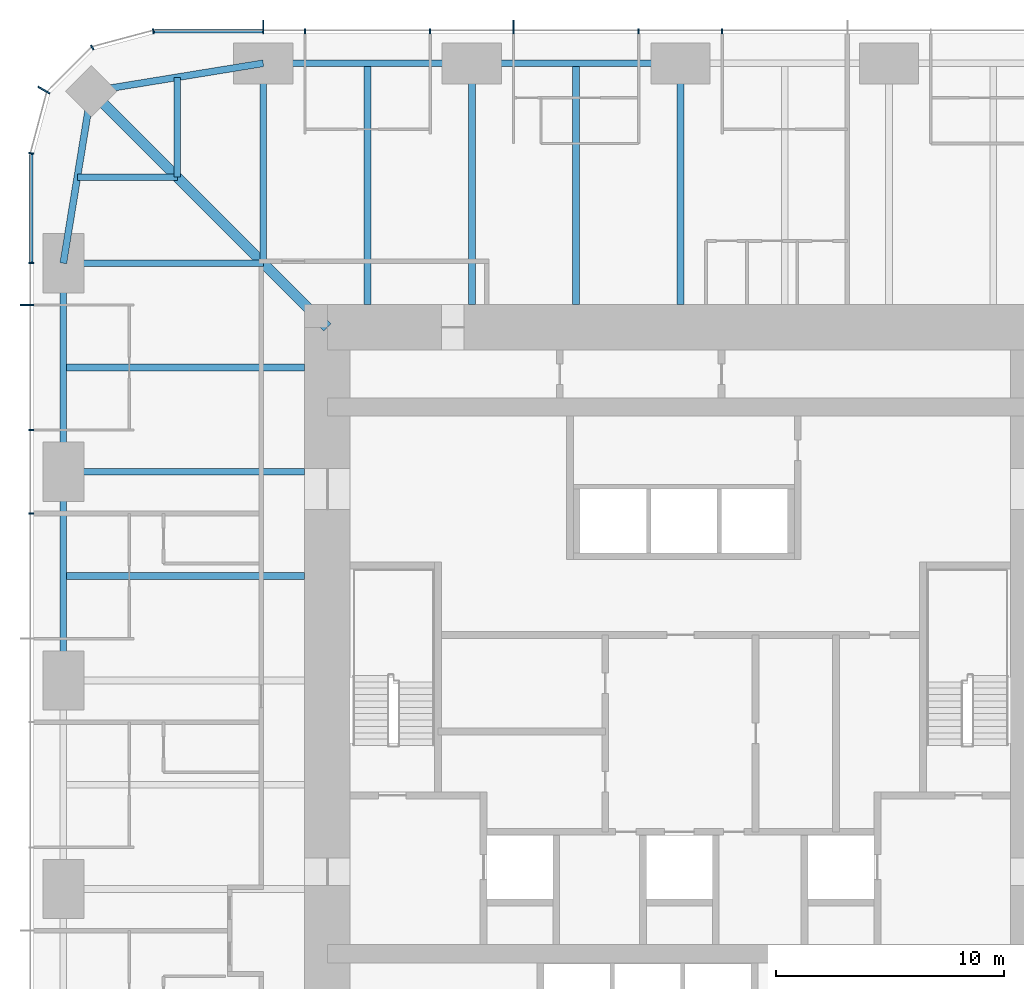
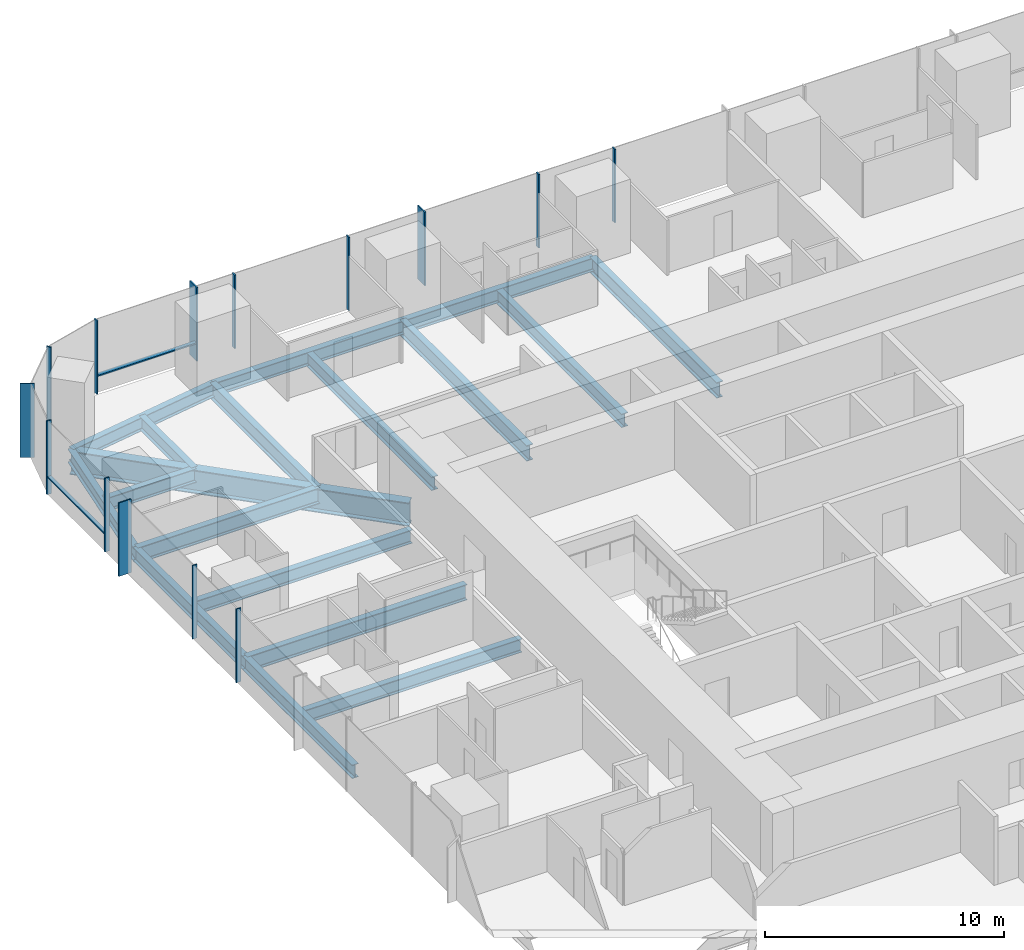
# One storey, part 5 of 13: 18 beams, 16 members, 3 elements without a shape of their own.
"""IFC4 building model written with IfcOpenShell, lengths in metres."""

import ifcopenshell
import ifcopenshell.guid

model = None  # the IFC model being written
_history = None  # IfcOwnerHistory: only IFC2X3 demands one
_inside = {}  # id of a spatial element -> (the spatial element, [elements in it])
_under = {}  # id of a project, library or spatial element -> (it, [spatial elements below it])
_declared = {}  # id of a project -> (the project, [libraries it declares])
_typed = {}  # id of a type object -> (the type object, [elements of that type])
_made_of = {}  # id of a material, layer set ... -> (it, [elements and type objects made of it])


def new_model(schema):
    """Start an empty IFC model of exactly this schema.

    Asked for "IFC4X3", IfcOpenShell would pick the latest addendum, in which some entities
    have other attributes; the version numbers below select the first issue.
    IFC2X3 requires an IfcOwnerHistory on every rooted entity: one is made here for all.
    """
    global model, _history
    if schema == "IFC4X3":
        model = ifcopenshell.file(schema_version=(4, 3, 0, 0))
    else:
        model = ifcopenshell.file(schema=schema)
    _inside.clear()
    _under.clear()
    _declared.clear()
    _typed.clear()
    _made_of.clear()
    _history = None
    if model.schema == "IFC2X3":
        org = make("IfcOrganization", Name="unknown")
        user = make(
            "IfcPersonAndOrganization",
            ThePerson=make("IfcPerson", FamilyName="unknown"),
            TheOrganization=org,
        )
        app = make(
            "IfcApplication",
            ApplicationDeveloper=org,
            Version="unknown",
            ApplicationFullName="unknown",
            ApplicationIdentifier="unknown",
        )
        _history = make(
            "IfcOwnerHistory",
            OwningUser=user,
            OwningApplication=app,
            ChangeAction="ADDED",
            CreationDate=0,
        )
    return model


def make(cls, **values):
    """One entity of the class cls with the attributes given. An attribute that is None is left unset."""
    return model.create_entity(
        cls, **{name: value for name, value in values.items() if value is not None}
    )


def rooted(cls, **values):
    """An entity with a GlobalId (a new one), such as an element, a storey or a relation."""
    return make(cls, GlobalId=ifcopenshell.guid.new(), OwnerHistory=_history, **values)


def si_unit(unit_type, name, prefix=None):
    """IfcSIUnit, for example si_unit("LENGTHUNIT", "METRE", prefix="MILLI")."""
    return make("IfcSIUnit", UnitType=unit_type, Prefix=prefix, Name=name)


def assignment(units):
    """IfcUnitAssignment: the units of a project."""
    return None if units is None else make("IfcUnitAssignment", Units=units)


def point(xyz):
    """IfcCartesianPoint."""
    return None if xyz is None else make("IfcCartesianPoint", Coordinates=xyz)


def direction(xyz):
    """IfcDirection."""
    return None if xyz is None else make("IfcDirection", DirectionRatios=xyz)


def frame(location, z_axis=None, x_axis=None):
    """IfcAxis2Placement3D, a coordinate frame: its origin and axes. An axis left out is left unset."""
    return make(
        "IfcAxis2Placement3D",
        Location=point(location),
        Axis=direction(z_axis),
        RefDirection=direction(x_axis),
    )


def frame_2d(location, x_axis=None):
    """IfcAxis2Placement2D, a coordinate frame in the plane: its origin and x axis."""
    return make(
        "IfcAxis2Placement2D", Location=point(location), RefDirection=direction(x_axis)
    )


def origin():
    """The frame at (0, 0, 0) with its axes left unset."""
    return frame((0.0, 0.0, 0.0))


def origin_2d():
    """The frame at (0, 0) in the plane with its x axis left unset."""
    return frame_2d((0.0, 0.0))


def place(relative_to, where):
    """IfcLocalPlacement: puts the frame where relative to a parent placement (None: the world)."""
    return make(
        "IfcLocalPlacement", PlacementRelTo=relative_to, RelativePlacement=where
    )


def context(
    kind, dimensions, precision=None, world=None, true_north=None, identifier=None
):
    """IfcGeometricRepresentationContext, for example the 3D "Model" context."""
    return make(
        "IfcGeometricRepresentationContext",
        ContextIdentifier=identifier,
        ContextType=kind,
        CoordinateSpaceDimension=dimensions,
        Precision=precision,
        WorldCoordinateSystem=world,
        TrueNorth=true_north,
    )


def subcontext(parent, identifier, kind, view, scale=None):
    """IfcGeometricRepresentationSubContext, for example "Body" below "Model"."""
    return make(
        "IfcGeometricRepresentationSubContext",
        ContextIdentifier=identifier,
        ContextType=kind,
        ParentContext=parent,
        TargetScale=scale,
        TargetView=view,
    )


def project(units=None, contexts=None):
    """IfcProject with its units and contexts."""
    return rooted(
        "IfcProject",
        Name="project",
        RepresentationContexts=contexts,
        UnitsInContext=assignment(units),
    )


def spatial(cls, under=None, at=None, **own):
    """A site, building, storey or space (cls), placed at a placement, below another one or the project."""
    s = rooted(cls, ObjectPlacement=at, **own)
    if under is not None:
        _under.setdefault(under.id(), (under, []))[1].append(s)
    return s


def profile(cls, at=None, kind="AREA", **sizes):
    """A parametric profile (cls). Its sizes go by their IFC names, for example OverallWidth=200.0."""
    return make(cls, ProfileType=kind, Position=at, **sizes)


def rectangle(**sizes):
    """IfcRectangleProfileDef."""
    return profile("IfcRectangleProfileDef", **sizes)


def i_section(**sizes):
    """IfcIShapeProfileDef."""
    return profile("IfcIShapeProfileDef", **sizes)


def extrude(swept, where, along, depth):
    """IfcExtrudedAreaSolid: the profile swept, set in the frame where, extruded along a direction by depth."""
    return make(
        "IfcExtrudedAreaSolid",
        SweptArea=swept,
        Position=where,
        ExtrudedDirection=direction(along),
        Depth=depth,
    )


def shape(context_of_items, identifier, shape_type, items):
    """IfcShapeRepresentation: the items that make up one representation, for example the "Body"."""
    return make(
        "IfcShapeRepresentation",
        ContextOfItems=context_of_items,
        RepresentationIdentifier=identifier,
        RepresentationType=shape_type,
        Items=items,
    )


def material(Name=None, Category=None):
    """IfcMaterial."""
    return make("IfcMaterial", Name=Name, Category=Category)


def material_profile(
    of_material, cross_section, Name=None, Category=None, Priority=None
):
    """IfcMaterialProfile: a cross section and its material."""
    return make(
        "IfcMaterialProfile",
        Name=Name,
        Material=of_material,
        Profile=cross_section,
        Priority=Priority,
        Category=Category,
    )


def profile_set(profiles, Name=None, composite=None):
    """IfcMaterialProfileSet."""
    return make(
        "IfcMaterialProfileSet",
        Name=Name,
        MaterialProfiles=profiles,
        CompositeProfile=composite,
    )


def made_of(thing, what):
    """Note that an element or type object is made of a material, layer set ...; save() writes the relation."""
    if what is not None:
        _made_of.setdefault(what.id(), (what, []))[1].append(thing)
    return thing


def type_object(cls, material=None, **own):
    """A type object (cls), such as IfcWallType, which elements share."""
    return made_of(rooted(cls, **own), material)


def element(
    cls,
    number,
    at=None,
    inside=None,
    cuts=None,
    type_object=None,
    material=None,
    context=None,
    identifier="Body",
    shape_type=None,
    held_by="IfcProductDefinitionShape",
    body=None,
    shapes=None,
    **own,
):
    """One element of the class cls, such as IfcWall. Its Tag is "e" and its number.

    at: its placement. inside: the storey or other place that contains it. cuts: it is an
    opening in that element (IfcRelVoidsElement). A single representation is given by context,
    identifier, shape_type and body (its items); several are given by shapes. held_by: the class
    of the entity that holds the representations. save() writes the other relations.
    """
    e = rooted(cls, Tag="e%d" % number, ObjectPlacement=at, **own)
    if body is not None:
        shapes = [shape(context, identifier, shape_type, body)]
    if shapes is not None:
        e.Representation = make(held_by, Representations=shapes)
    if inside is not None:
        _inside.setdefault(inside.id(), (inside, []))[1].append(e)
    if cuts is not None:
        rooted(
            "IfcRelVoidsElement", RelatingBuildingElement=cuts, RelatedOpeningElement=e
        )
    if type_object is not None:
        _typed.setdefault(type_object.id(), (type_object, []))[1].append(e)
    return made_of(e, material)


def aggregate(whole, parts):
    """IfcRelAggregates: a whole, such as a stair, and the parts it consists of."""
    return rooted("IfcRelAggregates", RelatingObject=whole, RelatedObjects=parts)


def save(model, path):
    """Write the relations noted so far, then the file.

    IfcRelAggregates (storeys below a building ...), IfcRelContainedInSpatialStructure (elements
    in a storey), IfcRelDefinesByType, IfcRelAssociatesMaterial and IfcRelDeclares: one each for
    every whole, place, type object, material and project.
    """
    for whole, parts in _under.values():
        aggregate(whole, parts)
    for where, things in _inside.values():
        rooted(
            "IfcRelContainedInSpatialStructure",
            RelatedElements=things,
            RelatingStructure=where,
        )
    for kind, things in _typed.values():
        rooted("IfcRelDefinesByType", RelatedObjects=things, RelatingType=kind)
    for what, things in _made_of.values():
        rooted("IfcRelAssociatesMaterial", RelatedObjects=things, RelatingMaterial=what)
    for by, libraries in _declared.values():
        rooted("IfcRelDeclares", RelatingContext=by, RelatedDefinitions=libraries)
    model.write(path)


model = new_model("IFC4")

# Units and contexts
model_context = context("Model", 3, precision=1e-05, world=origin(), true_north=direction((0.0, 1.0)))
body_context = subcontext(model_context, "Body", "Model", "MODEL_VIEW")
ifc_project = project(units=[si_unit("LENGTHUNIT", "METRE"), si_unit("AREAUNIT", "SQUARE_METRE"), si_unit("VOLUMEUNIT", "CUBIC_METRE"), si_unit("PLANEANGLEUNIT", "RADIAN"), si_unit("MASSUNIT", "GRAM", prefix="KILO")], contexts=[model_context])

# Site, building, storey
site_placement = place(None, origin())
site = spatial("IfcSite", under=ifc_project, at=site_placement, CompositionType="ELEMENT")
building_placement = place(site_placement, origin())
building = spatial("IfcBuilding", under=site, at=building_placement, Name="Khuree Lantern Residences", CompositionType="ELEMENT")
storey_placement = place(building_placement, frame((0.0, 0.0, 156.0)))
storey = spatial("IfcBuildingStorey", under=building, at=storey_placement, Name="L39", CompositionType="ELEMENT", Elevation=156.0)

# Beams
ifc_material_1 = material(Name="Steel S355", Category="steel")
ifc_material_profile_1 = material_profile(ifc_material_1, i_section(OverallWidth=0.300048828125, OverallDepth=0.68994140625, WebThickness=0.014404296875, FlangeThickness=0.027099609375, FilletRadius=0.027099609375, at=origin_2d()), Name="HE 700 A")
ifc_profile_set_1 = profile_set([ifc_material_profile_1], Name="Steel S355")
beam_type_1 = type_object("IfcBeamType", Name="B-24 SECONDARY BEAM HE 700 A", PredefinedType="BEAM", material=ifc_profile_set_1)
for number, where, z_axis, x_axis, name in (
    (1, (-13.739990234375, 27.10009765625, -0.594970703125), (0.0, -1.0, 0.0), (1.0, 0.0, 0.0), "Secondary beam N1"),
    (2, (-4.580078125, 27.10009765625, -0.594970703125), (0.0, -1.0, 0.0), (1.0, 0.0, 0.0), "Secondary beam N2"),
    (3, (-27.10009765625, 4.580078125, -0.594970703125), (1.0, 0.0, 0.0), (0.0, 1.0, 0.0), "Secondary beam W4"),
    (4, (-27.10009765625, 13.739990234375, -0.594970703125), (1.0, 0.0, 0.0), (0.0, 1.0, 0.0), "Secondary beam W5"),
):
    element("IfcBeam", number, at=place(storey_placement, frame(where, z_axis=z_axis, x_axis=x_axis)), inside=storey, type_object=beam_type_1, Name=name, PredefinedType="BEAM", context=body_context, shape_type="SweptSolid", body=[
        extrude(i_section(OverallWidth=0.300048828125, OverallDepth=0.68994140625, WebThickness=0.014404296875, FlangeThickness=0.027099609375, FilletRadius=0.027099609375, at=origin_2d()), origin(), (0.0, 0.0, 1.0), 10.60009765625),
    ])
for number, where, z_axis, x_axis, name in (
    (5, (-26.48486328125, 22.094970703125, -0.594970703125), (1.0, 0.0, 0.0), (0.0, 1.0, 0.0), "Secondary beam W6"),
    (6, (-22.094970703125, 26.48486328125, -0.594970703125), (0.0, -1.0, 0.0), (1.0, 0.0, 0.0), "Secondary beam N6"),
):
    element("IfcBeam", number, at=place(storey_placement, frame(where, z_axis=z_axis, x_axis=x_axis)), inside=storey, type_object=beam_type_1, Name=name, PredefinedType="BEAM", context=body_context, shape_type="SweptSolid", body=[
        extrude(i_section(OverallWidth=0.300048828125, OverallDepth=0.68994140625, WebThickness=0.014404296875, FlangeThickness=0.027099609375, FilletRadius=0.027099609375, at=origin_2d()), origin(), (0.0, 0.0, 1.0), 4.389892578125),
    ])
ifc_material_profile_2 = material_profile(ifc_material_1, i_section(OverallWidth=0.300048828125, OverallDepth=0.68994140625, WebThickness=0.014404296875, FlangeThickness=0.027099609375, FilletRadius=0.027099609375, at=origin_2d()), Name="HE 700 A")
ifc_profile_set_2 = profile_set([ifc_material_profile_2], Name="Steel S355")
beam_type_2 = type_object("IfcBeamType", Name="E-24 SPANDREL BEAM HE 700 A", PredefinedType="SPANDREL", material=ifc_profile_set_2)
beam_1_placement = place(storey_placement, frame((-18.320068359375, 27.10009765625, -0.594970703125), z_axis=(1.0, 0.0, 0.0), x_axis=(0.0, 1.0, 0.0)))
element("IfcBeam", 7, at=beam_1_placement, inside=storey, type_object=beam_type_2, Name="Spandrel beam N1", PredefinedType="SPANDREL", context=body_context, shape_type="SweptSolid", body=[
    extrude(i_section(OverallWidth=0.300048828125, OverallDepth=0.68994140625, WebThickness=0.014404296875, FlangeThickness=0.027099609375, FilletRadius=0.027099609375, at=origin_2d()), origin(), (0.0, 0.0, 1.0), 9.16015625),
])
for number, where, z_axis, x_axis, name in (
    (8, (-9.159912109375, 27.10009765625, -0.594970703125), (1.0, 0.0, 0.0), (0.0, 1.0, 0.0), "Spandrel beam N2"),
    (9, (-27.10009765625, 0.0, -0.594970703125), (0.0, 1.0, 0.0), (-1.0, 0.0, 0.0), "Spandrel beam W4"),
):
    element("IfcBeam", number, at=place(storey_placement, frame(where, z_axis=z_axis, x_axis=x_axis)), inside=storey, type_object=beam_type_2, Name=name, PredefinedType="SPANDREL", context=body_context, shape_type="SweptSolid", body=[
        extrude(i_section(OverallWidth=0.300048828125, OverallDepth=0.68994140625, WebThickness=0.014404296875, FlangeThickness=0.027099609375, FilletRadius=0.027099609375, at=origin_2d()), origin(), (0.0, 0.0, 1.0), 9.159912109375),
    ])
beam_2_placement = place(storey_placement, frame((-27.10009765625, 9.159912109375, -0.594970703125), z_axis=(0.0, 1.0, 0.0), x_axis=(-1.0, 0.0, 0.0)))
element("IfcBeam", 10, at=beam_2_placement, inside=storey, type_object=beam_type_2, Name="Spandrel beam W5", PredefinedType="SPANDREL", context=body_context, shape_type="SweptSolid", body=[
    extrude(i_section(OverallWidth=0.300048828125, OverallDepth=0.68994140625, WebThickness=0.014404296875, FlangeThickness=0.027099609375, FilletRadius=0.027099609375, at=origin_2d()), origin(), (0.0, 0.0, 1.0), 9.16015625),
])
for number, where, z_axis, x_axis, name in (
    (11, (-27.10009765625, 18.320068359375, -0.594970703125), (0.160826723833, 0.986982656839, 0.0), (-0.986982656839, 0.160826723833, 0.0), "Spandrel beam W6"),
    (12, (-25.869873046875, 25.869873046875, -0.594970703125), (0.986982656839, 0.160826723833, 0.0), (-0.160826723833, 0.986982656839, 0.0), "Spandrel beam N6"),
):
    element("IfcBeam", number, at=place(storey_placement, frame(where, z_axis=z_axis, x_axis=x_axis)), inside=storey, type_object=beam_type_2, Name=name, PredefinedType="SPANDREL", context=body_context, shape_type="SweptSolid", body=[
        extrude(i_section(OverallWidth=0.300048828125, OverallDepth=0.68994140625, WebThickness=0.014404296875, FlangeThickness=0.027099609375, FilletRadius=0.027099609375, at=origin_2d()), origin(), (0.0, 0.0, 1.0), 7.6494140625),
    ])

# Curtain wall, members
ifc_material_2 = material(Name="Bronze anodised aluminium", Category="aluminium")
curtain_wall_type_1 = type_object("IfcCurtainWallType", Name="CW-T1 TOWER FACE CURTAIN WALL", PredefinedType="USERDEFINED", material=ifc_material_2)
curtain_wall_1_placement = place(storey_placement, origin())
curtain_wall_1 = element("IfcCurtainWall", 13, at=curtain_wall_1_placement, inside=storey, type_object=curtain_wall_type_1, Name="L39 NORTH FACE CURTAIN WALL", ObjectType="Stick-built curtain wall", PredefinedType="USERDEFINED")
ifc_material_profile_3 = material_profile(ifc_material_2, rectangle(XDim=0.06494140625, YDim=0.60009765625, at=origin_2d()), Name="F1 65X600")
ifc_profile_set_3 = profile_set([ifc_material_profile_3], Name="Bronze anodised aluminium")
member_type_1 = type_object("IfcMemberType", Name="F1 BRONZE FIN MULLION TOWER 65X600", PredefinedType="MULLION", material=ifc_profile_set_3)
member_1_placement = place(storey_placement, frame((-7.327880859375, 28.699951171875, 0.0), z_axis=(0.0, 0.0, 1.0), x_axis=(-1.0, 0.0, 0.0)))
member_1 = element("IfcMember", 14, at=member_1_placement, type_object=member_type_1, Name="L39 NORTH FACE FIN MULLION 25", PredefinedType="MULLION", context=body_context, shape_type="SweptSolid", body=[
    extrude(rectangle(XDim=0.06494140625, YDim=0.60009765625, at=origin_2d()), origin(), (0.0, 0.0, 1.0), 3.75),
])
member_2_placement = place(storey_placement, frame((-18.320068359375, 28.699951171875, 0.0), z_axis=(0.0, 0.0, 1.0), x_axis=(-1.0, 0.0, 0.0)))
member_2 = element("IfcMember", 15, at=member_2_placement, type_object=member_type_1, Name="L39 NORTH FACE FIN MULLION 28", PredefinedType="MULLION", context=body_context, shape_type="SweptSolid", body=[
    extrude(rectangle(XDim=0.06494140625, YDim=0.60009765625, at=origin_2d()), origin(), (0.0, 0.0, 1.0), 3.75),
])

# Curtain wall, member
curtain_wall_type_2 = type_object("IfcCurtainWallType", Name="CW-T2 TOWER CORNER CURTAIN WALL", PredefinedType="USERDEFINED", material=ifc_material_2)
curtain_wall_2_placement = place(storey_placement, origin())
curtain_wall_2 = element("IfcCurtainWall", 16, at=curtain_wall_2_placement, inside=storey, type_object=curtain_wall_type_2, Name="L39 NORTH-WEST CORNER CURTAIN WALL", ObjectType="Faceted corner curtain wall", PredefinedType="USERDEFINED")
member_3_placement = place(storey_placement, frame((-27.95654296875, 25.925048828125, 0.0), z_axis=(0.0, 0.0, 1.0), x_axis=(-0.500000026995, -0.866025388199, 0.0)))
member_3 = element("IfcMember", 17, at=member_3_placement, type_object=member_type_1, Name="L39 NORTH-WEST CORNER FIN MULLION 31", PredefinedType="MULLION", context=body_context, shape_type="SweptSolid", body=[
    extrude(rectangle(XDim=0.06494140625, YDim=0.60009765625, at=origin_2d()), origin(), (0.0, 0.0, 1.0), 3.75),
])

curtain_wall_3_placement = place(storey_placement, origin())
curtain_wall_3 = element("IfcCurtainWall", 18, at=curtain_wall_3_placement, inside=storey, type_object=curtain_wall_type_1, Name="L39 WEST FACE CURTAIN WALL", ObjectType="Stick-built curtain wall", PredefinedType="USERDEFINED")
member_4_placement = place(storey_placement, frame((-28.699951171875, 16.488037109375, 0.0), z_axis=(0.0, 0.0, 1.0), x_axis=(0.0, -1.0, 0.0)))
member_4 = element("IfcMember", 19, at=member_4_placement, type_object=member_type_1, Name="L39 WEST FACE FIN MULLION 34", PredefinedType="MULLION", context=body_context, shape_type="SweptSolid", body=[
    extrude(rectangle(XDim=0.06494140625, YDim=0.60009765625, at=origin_2d()), origin(), (0.0, 0.0, 1.0), 3.75),
])

# Beams
ifc_material_profile_4 = material_profile(ifc_material_1, i_section(OverallWidth=0.300048828125, OverallDepth=0.800048828125, WebThickness=0.017578125, FlangeThickness=0.032958984375, FilletRadius=0.030029296875, at=origin_2d()), Name="HE 800 B")
ifc_profile_set_4 = profile_set([ifc_material_profile_4], Name="Steel S355")
beam_type_3 = type_object("IfcBeamType", Name="G-24 GIRDER HE 800 B", PredefinedType="BEAM", material=ifc_profile_set_4)
beam_3_placement = place(storey_placement, frame((-18.320068359375, 27.10009765625, -0.64990234375), z_axis=(0.0, -1.0, 0.0), x_axis=(1.0, 0.0, 0.0)))
element("IfcBeam", 20, at=beam_3_placement, inside=storey, type_object=beam_type_3, Name="Girder N1", PredefinedType="BEAM", context=body_context, shape_type="SweptSolid", body=[
    extrude(i_section(OverallWidth=0.300048828125, OverallDepth=0.800048828125, WebThickness=0.017578125, FlangeThickness=0.032958984375, FilletRadius=0.030029296875, at=origin_2d()), origin(), (0.0, 0.0, 1.0), 8.780029296875),
])
for number, where, z_axis, x_axis, name in (
    (21, (-9.159912109375, 27.10009765625, -0.64990234375), (0.0, -1.0, 0.0), (1.0, 0.0, 0.0), "Girder N2"),
    (22, (0.0, 27.10009765625, -0.64990234375), (0.0, -1.0, 0.0), (1.0, 0.0, 0.0), "Girder N3"),
    (23, (-27.10009765625, 9.159912109375, -0.64990234375), (1.0, 0.0, 0.0), (0.0, 1.0, 0.0), "Girder W4"),
):
    element("IfcBeam", number, at=place(storey_placement, frame(where, z_axis=z_axis, x_axis=x_axis)), inside=storey, type_object=beam_type_3, Name=name, PredefinedType="BEAM", context=body_context, shape_type="SweptSolid", body=[
        extrude(i_section(OverallWidth=0.300048828125, OverallDepth=0.800048828125, WebThickness=0.017578125, FlangeThickness=0.032958984375, FilletRadius=0.030029296875, at=origin_2d()), origin(), (0.0, 0.0, 1.0), 10.60009765625),
    ])
beam_4_placement = place(storey_placement, frame((-27.10009765625, 18.320068359375, -0.64990234375), z_axis=(1.0, 0.0, 0.0), x_axis=(0.0, 1.0, 0.0)))
element("IfcBeam", 24, at=beam_4_placement, inside=storey, type_object=beam_type_3, Name="Girder W5", PredefinedType="BEAM", context=body_context, shape_type="SweptSolid", body=[
    extrude(i_section(OverallWidth=0.300048828125, OverallDepth=0.800048828125, WebThickness=0.017578125, FlangeThickness=0.032958984375, FilletRadius=0.030029296875, at=origin_2d()), origin(), (0.0, 0.0, 1.0), 8.780029296875),
])
ifc_material_profile_5 = material_profile(ifc_material_1, i_section(OverallWidth=0.449951171875, OverallDepth=1.199951171875, WebThickness=0.02490234375, FlangeThickness=0.044921875, at=origin_2d()), Name="WELDED I 1200X450X25X45")
ifc_profile_set_5 = profile_set([ifc_material_profile_5], Name="Steel S355")
beam_type_4 = type_object("IfcBeamType", Name="GD-24 CORNER GIRDER WELDED I 1200X450X25X45", PredefinedType="BEAM", material=ifc_profile_set_5)
beam_5_placement = place(storey_placement, frame((-25.869873046875, 25.869873046875, -0.85009765625), z_axis=(0.707106781187, -0.707106781187, 0.0), x_axis=(0.707106781187, 0.707106781187, 0.0)))
element("IfcBeam", 25, at=beam_5_placement, inside=storey, type_object=beam_type_4, Name="Corner girder NW", PredefinedType="BEAM", context=body_context, shape_type="SweptSolid", body=[
    extrude(i_section(OverallWidth=0.449951171875, OverallDepth=1.199951171875, WebThickness=0.02490234375, FlangeThickness=0.044921875, at=origin_2d()), origin(), (0.0, 0.0, 1.0), 14.665283203125),
])

# Member
ifc_material_profile_6 = material_profile(ifc_material_2, rectangle(XDim=0.06494140625, YDim=0.219970703125, at=origin_2d()), Name="M1 65X220")
ifc_profile_set_6 = profile_set([ifc_material_profile_6], Name="Bronze anodised aluminium")
member_type_2 = type_object("IfcMemberType", Name="M1 BRONZE MULLION TOWER 65X220", PredefinedType="MULLION", material=ifc_profile_set_6)
member_5_placement = place(storey_placement, frame((1.83203125, 28.510009765625, 0.0), z_axis=(0.0, 0.0, 1.0), x_axis=(-1.0, 0.0, 0.0)))
member_5 = element("IfcMember", 26, at=member_5_placement, type_object=member_type_2, Name="L39 NORTH FACE MULLION 23", PredefinedType="MULLION", context=body_context, shape_type="SweptSolid", body=[
    extrude(rectangle(XDim=0.06494140625, YDim=0.219970703125, at=origin_2d()), origin(), (0.0, 0.0, 1.0), 3.75),
])

member_6_placement = place(storey_placement, frame((-1.83203125, 28.510009765625, 0.0), z_axis=(0.0, 0.0, 1.0), x_axis=(-1.0, 0.0, 0.0)))
member_6 = element("IfcMember", 27, at=member_6_placement, type_object=member_type_2, Name="L39 NORTH FACE MULLION 24", PredefinedType="MULLION", context=body_context, shape_type="SweptSolid", body=[
    extrude(rectangle(XDim=0.06494140625, YDim=0.219970703125, at=origin_2d()), origin(), (0.0, 0.0, 1.0), 3.75),
])

member_7_placement = place(storey_placement, frame((-10.991943359375, 28.510009765625, 0.0), z_axis=(0.0, 0.0, 1.0), x_axis=(-1.0, 0.0, 0.0)))
member_7 = element("IfcMember", 28, at=member_7_placement, type_object=member_type_2, Name="L39 NORTH FACE MULLION 26", PredefinedType="MULLION", context=body_context, shape_type="SweptSolid", body=[
    extrude(rectangle(XDim=0.06494140625, YDim=0.219970703125, at=origin_2d()), origin(), (0.0, 0.0, 1.0), 3.75),
])

member_8_placement = place(storey_placement, frame((-16.488037109375, 28.510009765625, 0.0), z_axis=(0.0, 0.0, 1.0), x_axis=(-1.0, 0.0, 0.0)))
member_8 = element("IfcMember", 29, at=member_8_placement, type_object=member_type_2, Name="L39 NORTH FACE MULLION 27", PredefinedType="MULLION", context=body_context, shape_type="SweptSolid", body=[
    extrude(rectangle(XDim=0.06494140625, YDim=0.219970703125, at=origin_2d()), origin(), (0.0, 0.0, 1.0), 3.75),
])

member_9_placement = place(storey_placement, frame((-23.14501953125, 28.51171875, 0.0), z_axis=(0.0, 0.0, 1.0), x_axis=(-0.991444857305, -0.130526223125, 0.0)))
member_9 = element("IfcMember", 30, at=member_9_placement, type_object=member_type_2, Name="L39 NORTH-WEST CORNER MULLION 29", PredefinedType="MULLION", context=body_context, shape_type="SweptSolid", body=[
    extrude(rectangle(XDim=0.06494140625, YDim=0.219970703125, at=origin_2d()), origin(), (0.0, 0.0, 1.0), 3.75),
])

member_10_placement = place(storey_placement, frame((-25.830078125, 27.7919921875, 0.0), z_axis=(0.0, 0.0, 1.0), x_axis=(-0.866025388199, -0.500000026995, 0.0)))
member_10 = element("IfcMember", 31, at=member_10_placement, type_object=member_type_2, Name="L39 NORTH-WEST CORNER MULLION 30", PredefinedType="MULLION", context=body_context, shape_type="SweptSolid", body=[
    extrude(rectangle(XDim=0.06494140625, YDim=0.219970703125, at=origin_2d()), origin(), (0.0, 0.0, 1.0), 3.75),
])

aggregate(curtain_wall_2, [member_9, member_10, member_3])

member_11_placement = place(storey_placement, frame((-28.51171875, 23.14501953125, 0.0), z_axis=(0.0, 0.0, 1.0), x_axis=(-0.130526223125, -0.991444857305, 0.0)))
member_11 = element("IfcMember", 32, at=member_11_placement, type_object=member_type_2, Name="L39 WEST FACE MULLION 32", PredefinedType="MULLION", context=body_context, shape_type="SweptSolid", body=[
    extrude(rectangle(XDim=0.06494140625, YDim=0.219970703125, at=origin_2d()), origin(), (0.0, 0.0, 1.0), 3.75),
])

member_12_placement = place(storey_placement, frame((-28.510009765625, 18.320068359375, 0.0), z_axis=(0.0, 0.0, 1.0), x_axis=(0.0, -1.0, 0.0)))
member_12 = element("IfcMember", 33, at=member_12_placement, type_object=member_type_2, Name="L39 WEST FACE MULLION 33", PredefinedType="MULLION", context=body_context, shape_type="SweptSolid", body=[
    extrude(rectangle(XDim=0.06494140625, YDim=0.219970703125, at=origin_2d()), origin(), (0.0, 0.0, 1.0), 3.75),
])

member_13_placement = place(storey_placement, frame((-28.510009765625, 10.991943359375, 0.0), z_axis=(0.0, 0.0, 1.0), x_axis=(0.0, -1.0, 0.0)))
member_13 = element("IfcMember", 34, at=member_13_placement, type_object=member_type_2, Name="L39 WEST FACE MULLION 35", PredefinedType="MULLION", context=body_context, shape_type="SweptSolid", body=[
    extrude(rectangle(XDim=0.06494140625, YDim=0.219970703125, at=origin_2d()), origin(), (0.0, 0.0, 1.0), 3.75),
])

member_14_placement = place(storey_placement, frame((-28.510009765625, 7.327880859375, 0.0), z_axis=(0.0, 0.0, 1.0), x_axis=(0.0, -1.0, 0.0)))
member_14 = element("IfcMember", 35, at=member_14_placement, type_object=member_type_2, Name="L39 WEST FACE MULLION 36", PredefinedType="MULLION", context=body_context, shape_type="SweptSolid", body=[
    extrude(rectangle(XDim=0.06494140625, YDim=0.219970703125, at=origin_2d()), origin(), (0.0, 0.0, 1.0), 3.75),
])

ifc_material_profile_7 = material_profile(ifc_material_2, rectangle(XDim=0.179931640625, YDim=0.06494140625, at=origin_2d()), Name="T1 180X65")
ifc_profile_set_7 = profile_set([ifc_material_profile_7], Name="Bronze anodised aluminium")
member_type_3 = type_object("IfcMemberType", Name="TRANSOM T1 TOWER 180X65", PredefinedType="USERDEFINED", material=ifc_profile_set_7)
member_15_placement = place(storey_placement, frame((-18.3525390625, 28.52001953125, 0.89990234375), z_axis=(-1.0, 0.0, 0.0), x_axis=(0.0, -1.0, 0.0)))
member_15 = element("IfcMember", 36, at=member_15_placement, type_object=member_type_3, Name="L39 NORTH FACE TRANSOM 28.1", ObjectType="Transom", PredefinedType="USERDEFINED", context=body_context, shape_type="SweptSolid", body=[
    extrude(rectangle(XDim=0.179931640625, YDim=0.06494140625, at=origin_2d()), origin(), (0.0, 0.0, 1.0), 4.748779296875),
])

aggregate(curtain_wall_1, [member_5, member_6, member_1, member_7, member_8, member_2, member_15])

member_16_placement = place(storey_placement, frame((-28.52001953125, 23.101318359375, 0.89990234375), z_axis=(0.0, -1.0, 0.0), x_axis=(1.0, 0.0, 0.0)))
member_16 = element("IfcMember", 37, at=member_16_placement, type_object=member_type_3, Name="L39 WEST FACE TRANSOM 32.1", ObjectType="Transom", PredefinedType="USERDEFINED", context=body_context, shape_type="SweptSolid", body=[
    extrude(rectangle(XDim=0.179931640625, YDim=0.06494140625, at=origin_2d()), origin(), (0.0, 0.0, 1.0), 4.748779296875),
])

aggregate(curtain_wall_3, [member_11, member_12, member_4, member_13, member_14, member_16])

save(model, "model.ifc")
